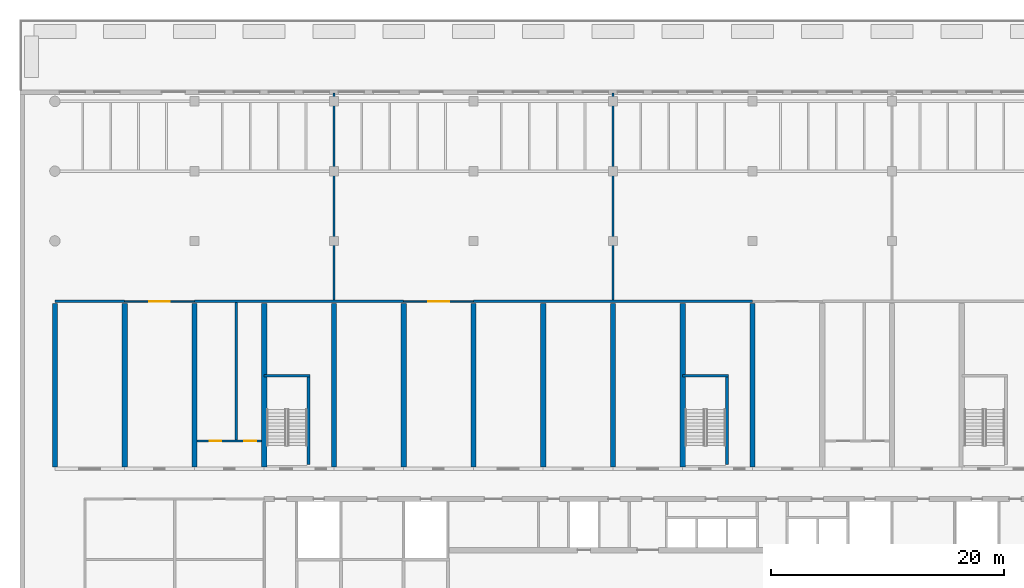
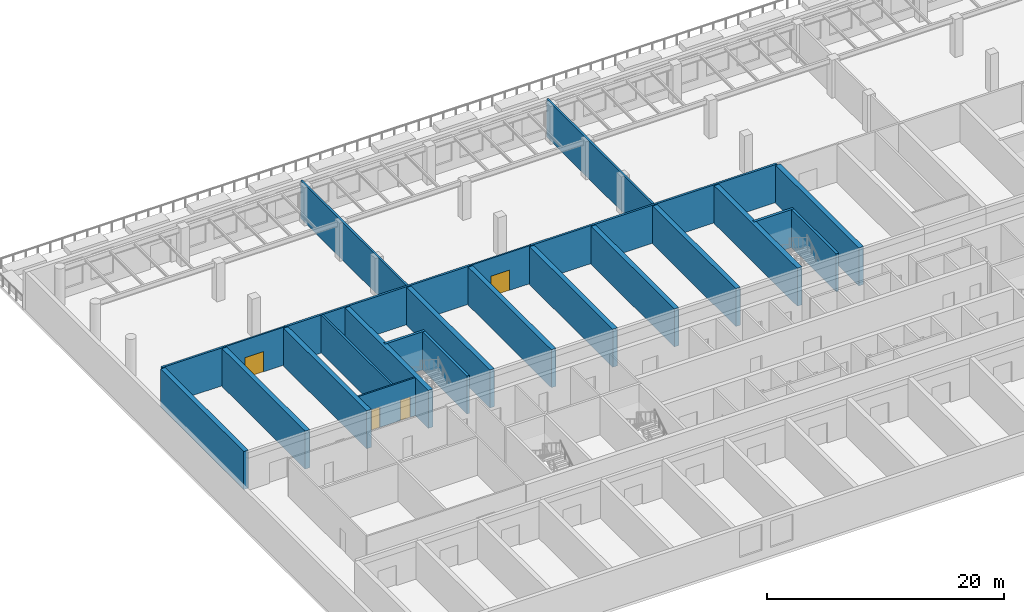
# One storey, part 8 of 15: 24 walls, 4 doors, 4 openings.
"""IFC4 building model written with IfcOpenShell, lengths in metres."""

import ifcopenshell
import ifcopenshell.guid

model = None  # the IFC model being written
_history = None  # IfcOwnerHistory: only IFC2X3 demands one
_inside = {}  # id of a spatial element -> (the spatial element, [elements in it])
_under = {}  # id of a project, library or spatial element -> (it, [spatial elements below it])
_declared = {}  # id of a project -> (the project, [libraries it declares])
_typed = {}  # id of a type object -> (the type object, [elements of that type])
_made_of = {}  # id of a material, layer set ... -> (it, [elements and type objects made of it])


def new_model(schema):
    """Start an empty IFC model of exactly this schema.

    Asked for "IFC4X3", IfcOpenShell would pick the latest addendum, in which some entities
    have other attributes; the version numbers below select the first issue.
    IFC2X3 requires an IfcOwnerHistory on every rooted entity: one is made here for all.
    """
    global model, _history
    if schema == "IFC4X3":
        model = ifcopenshell.file(schema_version=(4, 3, 0, 0))
    else:
        model = ifcopenshell.file(schema=schema)
    _inside.clear()
    _under.clear()
    _declared.clear()
    _typed.clear()
    _made_of.clear()
    _history = None
    if model.schema == "IFC2X3":
        org = make("IfcOrganization", Name="unknown")
        user = make(
            "IfcPersonAndOrganization",
            ThePerson=make("IfcPerson", FamilyName="unknown"),
            TheOrganization=org,
        )
        app = make(
            "IfcApplication",
            ApplicationDeveloper=org,
            Version="unknown",
            ApplicationFullName="unknown",
            ApplicationIdentifier="unknown",
        )
        _history = make(
            "IfcOwnerHistory",
            OwningUser=user,
            OwningApplication=app,
            ChangeAction="ADDED",
            CreationDate=0,
        )
    return model


def make(cls, **values):
    """One entity of the class cls with the attributes given. An attribute that is None is left unset."""
    return model.create_entity(
        cls, **{name: value for name, value in values.items() if value is not None}
    )


def rooted(cls, **values):
    """An entity with a GlobalId (a new one), such as an element, a storey or a relation."""
    return make(cls, GlobalId=ifcopenshell.guid.new(), OwnerHistory=_history, **values)


def si_unit(unit_type, name, prefix=None):
    """IfcSIUnit, for example si_unit("LENGTHUNIT", "METRE", prefix="MILLI")."""
    return make("IfcSIUnit", UnitType=unit_type, Prefix=prefix, Name=name)


def assignment(units):
    """IfcUnitAssignment: the units of a project."""
    return None if units is None else make("IfcUnitAssignment", Units=units)


def point(xyz):
    """IfcCartesianPoint."""
    return None if xyz is None else make("IfcCartesianPoint", Coordinates=xyz)


def direction(xyz):
    """IfcDirection."""
    return None if xyz is None else make("IfcDirection", DirectionRatios=xyz)


def frame(location, z_axis=None, x_axis=None):
    """IfcAxis2Placement3D, a coordinate frame: its origin and axes. An axis left out is left unset."""
    return make(
        "IfcAxis2Placement3D",
        Location=point(location),
        Axis=direction(z_axis),
        RefDirection=direction(x_axis),
    )


def frame_2d(location, x_axis=None):
    """IfcAxis2Placement2D, a coordinate frame in the plane: its origin and x axis."""
    return make(
        "IfcAxis2Placement2D", Location=point(location), RefDirection=direction(x_axis)
    )


def origin():
    """The frame at (0, 0, 0) with its axes left unset."""
    return frame((0.0, 0.0, 0.0))


def place(relative_to, where):
    """IfcLocalPlacement: puts the frame where relative to a parent placement (None: the world)."""
    return make(
        "IfcLocalPlacement", PlacementRelTo=relative_to, RelativePlacement=where
    )


def context(
    kind, dimensions, precision=None, world=None, true_north=None, identifier=None
):
    """IfcGeometricRepresentationContext, for example the 3D "Model" context."""
    return make(
        "IfcGeometricRepresentationContext",
        ContextIdentifier=identifier,
        ContextType=kind,
        CoordinateSpaceDimension=dimensions,
        Precision=precision,
        WorldCoordinateSystem=world,
        TrueNorth=true_north,
    )


def subcontext(parent, identifier, kind, view, scale=None):
    """IfcGeometricRepresentationSubContext, for example "Body" below "Model"."""
    return make(
        "IfcGeometricRepresentationSubContext",
        ContextIdentifier=identifier,
        ContextType=kind,
        ParentContext=parent,
        TargetScale=scale,
        TargetView=view,
    )


def project(units=None, contexts=None):
    """IfcProject with its units and contexts."""
    return rooted(
        "IfcProject",
        Name="project",
        RepresentationContexts=contexts,
        UnitsInContext=assignment(units),
    )


def spatial(cls, under=None, at=None, **own):
    """A site, building, storey or space (cls), placed at a placement, below another one or the project."""
    s = rooted(cls, ObjectPlacement=at, **own)
    if under is not None:
        _under.setdefault(under.id(), (under, []))[1].append(s)
    return s


def profile(cls, at=None, kind="AREA", **sizes):
    """A parametric profile (cls). Its sizes go by their IFC names, for example OverallWidth=200.0."""
    return make(cls, ProfileType=kind, Position=at, **sizes)


def rectangle(**sizes):
    """IfcRectangleProfileDef."""
    return profile("IfcRectangleProfileDef", **sizes)


def extrude(swept, where, along, depth):
    """IfcExtrudedAreaSolid: the profile swept, set in the frame where, extruded along a direction by depth."""
    return make(
        "IfcExtrudedAreaSolid",
        SweptArea=swept,
        Position=where,
        ExtrudedDirection=direction(along),
        Depth=depth,
    )


def shape(context_of_items, identifier, shape_type, items):
    """IfcShapeRepresentation: the items that make up one representation, for example the "Body"."""
    return make(
        "IfcShapeRepresentation",
        ContextOfItems=context_of_items,
        RepresentationIdentifier=identifier,
        RepresentationType=shape_type,
        Items=items,
    )


def material(Name=None, Category=None):
    """IfcMaterial."""
    return make("IfcMaterial", Name=Name, Category=Category)


def layer(
    of_material, thickness, ventilated=None, Name=None, Category=None, Priority=None
):
    """IfcMaterialLayer: one layer of a wall or slab, of a material (None: an air gap)."""
    return make(
        "IfcMaterialLayer",
        Material=of_material,
        LayerThickness=thickness,
        IsVentilated=ventilated,
        Name=Name,
        Category=Category,
        Priority=Priority,
    )


def layer_set(layers, Name=None):
    """IfcMaterialLayerSet."""
    return make("IfcMaterialLayerSet", MaterialLayers=layers, LayerSetName=Name)


def made_of(thing, what):
    """Note that an element or type object is made of a material, layer set ...; save() writes the relation."""
    if what is not None:
        _made_of.setdefault(what.id(), (what, []))[1].append(thing)
    return thing


def type_object(cls, material=None, **own):
    """A type object (cls), such as IfcWallType, which elements share."""
    return made_of(rooted(cls, **own), material)


def element(
    cls,
    number,
    at=None,
    inside=None,
    cuts=None,
    type_object=None,
    material=None,
    context=None,
    identifier="Body",
    shape_type=None,
    held_by="IfcProductDefinitionShape",
    body=None,
    shapes=None,
    **own,
):
    """One element of the class cls, such as IfcWall. Its Tag is "e" and its number.

    at: its placement. inside: the storey or other place that contains it. cuts: it is an
    opening in that element (IfcRelVoidsElement). A single representation is given by context,
    identifier, shape_type and body (its items); several are given by shapes. held_by: the class
    of the entity that holds the representations. save() writes the other relations.
    """
    e = rooted(cls, Tag="e%d" % number, ObjectPlacement=at, **own)
    if body is not None:
        shapes = [shape(context, identifier, shape_type, body)]
    if shapes is not None:
        e.Representation = make(held_by, Representations=shapes)
    if inside is not None:
        _inside.setdefault(inside.id(), (inside, []))[1].append(e)
    if cuts is not None:
        rooted(
            "IfcRelVoidsElement", RelatingBuildingElement=cuts, RelatedOpeningElement=e
        )
    if type_object is not None:
        _typed.setdefault(type_object.id(), (type_object, []))[1].append(e)
    return made_of(e, material)


def fill(opening, filler):
    """IfcRelFillsElement: the door or window that sits in an opening."""
    return rooted(
        "IfcRelFillsElement",
        RelatingOpeningElement=opening,
        RelatedBuildingElement=filler,
    )


def aggregate(whole, parts):
    """IfcRelAggregates: a whole, such as a stair, and the parts it consists of."""
    return rooted("IfcRelAggregates", RelatingObject=whole, RelatedObjects=parts)


def save(model, path):
    """Write the relations noted so far, then the file.

    IfcRelAggregates (storeys below a building ...), IfcRelContainedInSpatialStructure (elements
    in a storey), IfcRelDefinesByType, IfcRelAssociatesMaterial and IfcRelDeclares: one each for
    every whole, place, type object, material and project.
    """
    for whole, parts in _under.values():
        aggregate(whole, parts)
    for where, things in _inside.values():
        rooted(
            "IfcRelContainedInSpatialStructure",
            RelatedElements=things,
            RelatingStructure=where,
        )
    for kind, things in _typed.values():
        rooted("IfcRelDefinesByType", RelatedObjects=things, RelatingType=kind)
    for what, things in _made_of.values():
        rooted("IfcRelAssociatesMaterial", RelatedObjects=things, RelatingMaterial=what)
    for by, libraries in _declared.values():
        rooted("IfcRelDeclares", RelatingContext=by, RelatedDefinitions=libraries)
    model.write(path)


model = new_model("IFC4")

# Units and contexts
model_context = context("Model", 3, precision=1e-05, world=origin(), true_north=direction((0.0, 1.0)))
body_context = subcontext(model_context, "Body", "Model", "MODEL_VIEW")
ifc_project = project(units=[si_unit("LENGTHUNIT", "METRE"), si_unit("AREAUNIT", "SQUARE_METRE"), si_unit("VOLUMEUNIT", "CUBIC_METRE"), si_unit("PLANEANGLEUNIT", "RADIAN"), si_unit("MASSUNIT", "GRAM", prefix="KILO")], contexts=[model_context])

# Site, building, storey
site_placement = place(None, origin())
site = spatial("IfcSite", under=ifc_project, at=site_placement, CompositionType="ELEMENT")
building_placement = place(site_placement, origin())
building = spatial("IfcBuilding", under=site, at=building_placement, Name="Poui Terraces", CompositionType="ELEMENT")
storey_placement = place(building_placement, frame((0.0, 0.0, 10.800048828125)))
storey = spatial("IfcBuildingStorey", under=building, at=storey_placement, Name="L02", CompositionType="ELEMENT", Elevation=10.800048828125)

# Walls
ifc_material_1 = material(Name="Fire-rated masonry wall", Category="masonry")
ifc_layer_1 = layer(ifc_material_1, 0.199951171875)
ifc_layer_set_1 = layer_set([ifc_layer_1], Name="Fire-rated masonry wall")
wall_type_1 = type_object("IfcWallType", Name="COMPARTMENT WALL 200", PredefinedType="PARTITIONING", material=ifc_layer_set_1)
wall_1_placement = place(storey_placement, frame((0.0, 44.800048828125, 0.0), z_axis=(0.0, 0.0, 1.0), x_axis=(1.0, 0.0, 0.0)))
element("IfcWall", 1, at=wall_1_placement, inside=storey, type_object=wall_type_1, Name="COMPARTMENT WALL 200", PredefinedType="PARTITIONING", context=body_context, shape_type="SweptSolid", body=[
    extrude(rectangle(XDim=6.0, YDim=0.199951171875, at=frame_2d((3.0, 0.0))), origin(), (0.0, 0.0, 1.0), 3.919921875),
])
wall_2_placement = place(storey_placement, frame((12.0, 44.800048828125, 0.0), z_axis=(0.0, 0.0, 1.0), x_axis=(1.0, 0.0, 0.0)))
element("IfcWall", 2, at=wall_2_placement, inside=storey, type_object=wall_type_1, Name="COMPARTMENT WALL 200", PredefinedType="PARTITIONING", context=body_context, shape_type="SweptSolid", body=[
    extrude(rectangle(XDim=18.0, YDim=0.199951171875, at=frame_2d((9.0, 0.0))), origin(), (0.0, 0.0, 1.0), 3.919921875),
])
wall_3_placement = place(storey_placement, frame((36.0, 44.800048828125, 0.0), z_axis=(0.0, 0.0, 1.0), x_axis=(1.0, 0.0, 0.0)))
element("IfcWall", 3, at=wall_3_placement, inside=storey, type_object=wall_type_1, Name="COMPARTMENT WALL 200", PredefinedType="PARTITIONING", context=body_context, shape_type="SweptSolid", body=[
    extrude(rectangle(XDim=24.0, YDim=0.199951171875, at=frame_2d((12.0, 0.0))), origin(), (0.0, 0.0, 1.0), 3.919921875),
])
wall_4_placement = place(storey_placement, frame((15.60009765625, 32.875, 0.0), z_axis=(0.0, 0.0, 1.0), x_axis=(0.0, 1.0, 0.0)))
element("IfcWall", 4, at=wall_4_placement, inside=storey, type_object=wall_type_1, Name="COMPARTMENT WALL 200", PredefinedType="PARTITIONING", context=body_context, shape_type="SweptSolid", body=[
    extrude(rectangle(XDim=11.824951171875, YDim=0.199951171875, at=frame_2d((5.91259765625, 0.0))), origin(), (0.0, 0.0, 1.0), 3.919921875),
])
for number, where, z_axis, x_axis, name in (
    (5, (24.0, 44.89990234375, 0.0), (0.0, 0.0, 1.0), (0.0, 1.0, 0.0), "COMPARTMENT WALL 200"),
    (6, (48.0, 44.89990234375, 0.0), (0.0, 0.0, 1.0), (0.0, 1.0, 0.0), "COMPARTMENT WALL 200"),
):
    element("IfcWall", number, at=place(storey_placement, frame(where, z_axis=z_axis, x_axis=x_axis)), inside=storey, type_object=wall_type_1, Name=name, PredefinedType="PARTITIONING", context=body_context, shape_type="SweptSolid", body=[
        extrude(rectangle(XDim=17.840087890625, YDim=0.199951171875, at=frame_2d((8.919921875, 0.0))), origin(), (0.0, 0.0, 1.0), 3.919921875),
    ])

# Wall, openings, doors
ifc_material_2 = material(Name="Fire-rated plasterboard wall")
ifc_layer_2 = layer(ifc_material_2, 0.14990234375)
ifc_layer_set_2 = layer_set([ifc_layer_2], Name="Fire-rated plasterboard wall")
wall_type_2 = type_object("IfcWallType", Name="CORRIDOR WALL 150", PredefinedType="PARTITIONING", material=ifc_layer_set_2)
wall_5_placement = place(storey_placement, frame((12.235107421875, 32.800048828125, 0.0), z_axis=(0.0, 0.0, 1.0), x_axis=(1.0, 0.0, 0.0)))
wall_5 = element("IfcWall", 7, at=wall_5_placement, inside=storey, type_object=wall_type_2, Name="CORRIDOR WALL 150", PredefinedType="PARTITIONING", context=body_context, shape_type="SweptSolid", body=[
    extrude(rectangle(XDim=5.52978515625, YDim=0.14990234375, at=frame_2d((2.764892578125, 0.0))), origin(), (0.0, 0.0, 1.0), 3.919921875),
])
opening_1_placement = place(wall_5_placement, frame((1.06494140625, 0.0, 0.0)))
opening_1 = element("IfcOpeningElement", 8, at=opening_1_placement, cuts=wall_5, Name="Opening D100", PredefinedType="OPENING", context=body_context, shape_type="SweptSolid", body=[
    extrude(rectangle(XDim=1.0, YDim=2.10009765625, at=frame_2d((0.5, 1.050048828125))), frame((0.0, 0.0849609375, 0.0), z_axis=(0.0, -1.0, 0.0), x_axis=(1.0, 0.0, 0.0)), (0.0, 0.0, 1.0), 0.169921875),
])
opening_2_placement = place(wall_5_placement, frame((4.06494140625, 0.0, 0.0)))
opening_2 = element("IfcOpeningElement", 9, at=opening_2_placement, cuts=wall_5, Name="Opening D100", PredefinedType="OPENING", context=body_context, shape_type="SweptSolid", body=[
    extrude(rectangle(XDim=1.0, YDim=2.10009765625, at=frame_2d((0.5, 1.050048828125))), frame((0.0, 0.0849609375, 0.0), z_axis=(0.0, -1.0, 0.0), x_axis=(1.0, 0.0, 0.0)), (0.0, 0.0, 1.0), 0.169921875),
])
ifc_material_3 = material(Name="Solid core timber door", Category="wood")
door_type_1 = type_object("IfcDoorType", Name="ACCESSIBLE INTERNAL DOOR 1000 X 2100", OperationType="NOTDEFINED", PredefinedType="DOOR", material=ifc_material_3)
door_1_placement = place(opening_1_placement, frame((1.0, 0.0, 0.0), z_axis=(0.0, 0.0, 1.0), x_axis=(-1.0, 0.0, 0.0)))
door_1 = element("IfcDoor", 10, at=door_1_placement, inside=storey, type_object=door_type_1, Name="ACCESSIBLE INTERNAL DOOR 072", OperationType="SINGLE_SWING_RIGHT", OverallHeight=2.10009765625, OverallWidth=1.0, PredefinedType="DOOR", context=body_context, shape_type="SweptSolid", body=[
    extrude(rectangle(XDim=1.0, YDim=2.10009765625, at=frame_2d((0.5, 1.050048828125))), frame((0.0, 0.02490234375, 0.0), z_axis=(0.0, -1.0, 0.0), x_axis=(1.0, 0.0, 0.0)), (0.0, 0.0, 1.0), 0.050048828125),
])
fill(opening_1, door_1)
door_2_placement = place(opening_2_placement, frame((1.0, 0.0, 0.0), z_axis=(0.0, 0.0, 1.0), x_axis=(-1.0, 0.0, 0.0)))
door_2 = element("IfcDoor", 11, at=door_2_placement, inside=storey, type_object=door_type_1, Name="ACCESSIBLE INTERNAL DOOR 073", OperationType="SINGLE_SWING_LEFT", OverallHeight=2.10009765625, OverallWidth=1.0, PredefinedType="DOOR", context=body_context, shape_type="SweptSolid", body=[
    extrude(rectangle(XDim=1.0, YDim=2.10009765625, at=frame_2d((0.5, 1.050048828125))), frame((0.0, 0.02490234375, 0.0), z_axis=(0.0, -1.0, 0.0), x_axis=(1.0, 0.0, 0.0)), (0.0, 0.0, 1.0), 0.050048828125),
])
fill(opening_2, door_2)

# Wall, opening, door
wall_6_placement = place(storey_placement, frame((6.0, 44.800048828125, 0.0), z_axis=(0.0, 0.0, 1.0), x_axis=(1.0, 0.0, 0.0)))
wall_6 = element("IfcWall", 12, at=wall_6_placement, inside=storey, type_object=wall_type_2, Name="CORRIDOR WALL 150", PredefinedType="PARTITIONING", context=body_context, shape_type="SweptSolid", body=[
    extrude(rectangle(XDim=6.0, YDim=0.14990234375, at=frame_2d((3.0, 0.0))), origin(), (0.0, 0.0, 1.0), 3.919921875),
])
opening_3_placement = place(wall_6_placement, frame((2.10009765625, 0.0, 0.0)))
opening_3 = element("IfcOpeningElement", 13, at=opening_3_placement, cuts=wall_6, Name="Opening DD180", PredefinedType="OPENING", context=body_context, shape_type="SweptSolid", body=[
    extrude(rectangle(XDim=1.800048828125, YDim=2.10009765625, at=frame_2d((0.89990234375, 1.050048828125))), frame((0.0, 0.0849609375, 0.0), z_axis=(0.0, -1.0, 0.0), x_axis=(1.0, 0.0, 0.0)), (0.0, 0.0, 1.0), 0.169921875),
])
ifc_material_4 = material(Name="Steel fire door", Category="steel")
door_type_2 = type_object("IfcDoorType", Name="DOUBLE INTERNAL DOOR 1800 X 2100", OperationType="DOUBLE_DOOR_SINGLE_SWING", PredefinedType="DOOR", material=ifc_material_4)
door_3_placement = place(opening_3_placement, frame((1.800048828125, 0.0, 0.0), z_axis=(0.0, 0.0, 1.0), x_axis=(-1.0, 0.0, 0.0)))
door_3 = element("IfcDoor", 14, at=door_3_placement, inside=storey, type_object=door_type_2, Name="DOUBLE INTERNAL DOOR 076", OperationType="DOUBLE_DOOR_SINGLE_SWING", OverallHeight=2.10009765625, OverallWidth=1.800048828125, PredefinedType="DOOR", context=body_context, shape_type="SweptSolid", body=[
    extrude(rectangle(XDim=1.800048828125, YDim=2.10009765625, at=frame_2d((0.89990234375, 1.050048828125))), frame((0.0, 0.02490234375, 0.0), z_axis=(0.0, -1.0, 0.0), x_axis=(1.0, 0.0, 0.0)), (0.0, 0.0, 1.0), 0.050048828125),
])
fill(opening_3, door_3)

wall_7_placement = place(storey_placement, frame((30.0, 44.800048828125, 0.0), z_axis=(0.0, 0.0, 1.0), x_axis=(1.0, 0.0, 0.0)))
wall_7 = element("IfcWall", 15, at=wall_7_placement, inside=storey, type_object=wall_type_2, Name="CORRIDOR WALL 150", PredefinedType="PARTITIONING", context=body_context, shape_type="SweptSolid", body=[
    extrude(rectangle(XDim=6.0, YDim=0.14990234375, at=frame_2d((3.0, 0.0))), origin(), (0.0, 0.0, 1.0), 3.919921875),
])
opening_4_placement = place(wall_7_placement, frame((2.10009765625, 0.0, 0.0)))
opening_4 = element("IfcOpeningElement", 16, at=opening_4_placement, cuts=wall_7, Name="Opening DD180", PredefinedType="OPENING", context=body_context, shape_type="SweptSolid", body=[
    extrude(rectangle(XDim=1.800048828125, YDim=2.10009765625, at=frame_2d((0.89990234375, 1.050048828125))), frame((0.0, 0.0849609375, 0.0), z_axis=(0.0, -1.0, 0.0), x_axis=(1.0, 0.0, 0.0)), (0.0, 0.0, 1.0), 0.169921875),
])
door_4_placement = place(opening_4_placement, frame((1.800048828125, 0.0, 0.0), z_axis=(0.0, 0.0, 1.0), x_axis=(-1.0, 0.0, 0.0)))
door_4 = element("IfcDoor", 17, at=door_4_placement, inside=storey, type_object=door_type_2, Name="DOUBLE INTERNAL DOOR 077", OperationType="DOUBLE_DOOR_SINGLE_SWING", OverallHeight=2.10009765625, OverallWidth=1.800048828125, PredefinedType="DOOR", context=body_context, shape_type="SweptSolid", body=[
    extrude(rectangle(XDim=1.800048828125, YDim=2.10009765625, at=frame_2d((0.89990234375, 1.050048828125))), frame((0.0, 0.02490234375, 0.0), z_axis=(0.0, -1.0, 0.0), x_axis=(1.0, 0.0, 0.0)), (0.0, 0.0, 1.0), 0.050048828125),
])
fill(opening_4, door_4)

# Walls
ifc_material_5 = material(Name="Concrete 80 MPa", Category="concrete")
ifc_layer_3 = layer(ifc_material_5, 0.449951171875)
ifc_layer_set_3 = layer_set([ifc_layer_3], Name="Concrete 80 MPa")
wall_type_3 = type_object("IfcWallType", Name="CROSS WALL 450 80MPa", PredefinedType="SHEAR", material=ifc_layer_set_3)
for number, where, z_axis, x_axis, name in (
    (18, (0.0, 30.550048828125, 0.0), (0.0, 0.0, 1.0), (0.0, 1.0, 0.0), "CROSS WALL LINE 1 NORTH"),
    (19, (6.0, 30.550048828125, 0.0), (0.0, 0.0, 1.0), (0.0, 1.0, 0.0), "CROSS WALL LINE 2 NORTH"),
    (20, (12.0, 30.550048828125, 0.0), (0.0, 0.0, 1.0), (0.0, 1.0, 0.0), "CROSS WALL LINE 3 NORTH"),
    (21, (18.0, 30.550048828125, 0.0), (0.0, 0.0, 1.0), (0.0, 1.0, 0.0), "CROSS WALL LINE 4 NORTH"),
    (22, (24.0, 30.550048828125, 0.0), (0.0, 0.0, 1.0), (0.0, 1.0, 0.0), "CROSS WALL LINE 5 NORTH"),
    (23, (30.0, 30.550048828125, 0.0), (0.0, 0.0, 1.0), (0.0, 1.0, 0.0), "CROSS WALL LINE 6 NORTH"),
    (24, (36.0, 30.550048828125, 0.0), (0.0, 0.0, 1.0), (0.0, 1.0, 0.0), "CROSS WALL LINE 7 NORTH"),
    (25, (42.0, 30.550048828125, 0.0), (0.0, 0.0, 1.0), (0.0, 1.0, 0.0), "CROSS WALL LINE 8 NORTH"),
    (26, (48.0, 30.550048828125, 0.0), (0.0, 0.0, 1.0), (0.0, 1.0, 0.0), "CROSS WALL LINE 9 NORTH"),
    (27, (54.0, 30.550048828125, 0.0), (0.0, 0.0, 1.0), (0.0, 1.0, 0.0), "CROSS WALL LINE 10 NORTH"),
    (28, (60.0, 30.550048828125, 0.0), (0.0, 0.0, 1.0), (0.0, 1.0, 0.0), "CROSS WALL LINE 11 NORTH"),
):
    element("IfcWall", number, at=place(storey_placement, frame(where, z_axis=z_axis, x_axis=x_axis)), inside=storey, type_object=wall_type_3, Name=name, PredefinedType="SHEAR", context=body_context, shape_type="SweptSolid", body=[
        extrude(rectangle(XDim=14.050048828125, YDim=0.449951171875, at=frame_2d((7.02490234375, 0.0))), origin(), (0.0, 0.0, 1.0), 3.919921875),
    ])
ifc_layer_4 = layer(ifc_material_5, 0.25)
ifc_layer_set_4 = layer_set([ifc_layer_4], Name="Concrete 80 MPa")
wall_type_4 = type_object("IfcWallType", Name="STAIR CORE WALL 250 80 MPA", PredefinedType="SOLIDWALL", material=ifc_layer_set_4)
wall_8_placement = place(storey_placement, frame((21.800048828125, 30.75, 0.0), z_axis=(0.0, 0.0, 1.0), x_axis=(0.0, 1.0, 0.0)))
element("IfcWall", 29, at=wall_8_placement, inside=storey, type_object=wall_type_4, Name="STAIR CORE WALL", PredefinedType="SOLIDWALL", context=body_context, shape_type="SweptSolid", body=[
    extrude(rectangle(XDim=7.52490234375, YDim=0.25, at=frame_2d((3.762451171875, 0.0))), origin(), (0.0, 0.0, 1.0), 3.919921875),
])
wall_9_placement = place(storey_placement, frame((18.0, 38.39990234375, 0.0), z_axis=(0.0, 0.0, 1.0), x_axis=(1.0, 0.0, 0.0)))
element("IfcWall", 30, at=wall_9_placement, inside=storey, type_object=wall_type_4, Name="STAIR CORE WALL", PredefinedType="SOLIDWALL", context=body_context, shape_type="SweptSolid", body=[
    extrude(rectangle(XDim=3.925048828125, YDim=0.25, at=frame_2d((1.96240234375, 0.0))), origin(), (0.0, 0.0, 1.0), 3.919921875),
])
wall_10_placement = place(storey_placement, frame((57.800048828125, 30.75, 0.0), z_axis=(0.0, 0.0, 1.0), x_axis=(0.0, 1.0, 0.0)))
element("IfcWall", 31, at=wall_10_placement, inside=storey, type_object=wall_type_4, Name="STAIR CORE WALL", PredefinedType="SOLIDWALL", context=body_context, shape_type="SweptSolid", body=[
    extrude(rectangle(XDim=7.52490234375, YDim=0.25, at=frame_2d((3.762451171875, 0.0))), origin(), (0.0, 0.0, 1.0), 3.919921875),
])
wall_11_placement = place(storey_placement, frame((54.0, 38.39990234375, 0.0), z_axis=(0.0, 0.0, 1.0), x_axis=(1.0, 0.0, 0.0)))
element("IfcWall", 32, at=wall_11_placement, inside=storey, type_object=wall_type_4, Name="STAIR CORE WALL", PredefinedType="SOLIDWALL", context=body_context, shape_type="SweptSolid", body=[
    extrude(rectangle(XDim=3.925048828125, YDim=0.25, at=frame_2d((1.96240234375, 0.0))), origin(), (0.0, 0.0, 1.0), 3.919921875),
])

save(model, "model.ifc")
